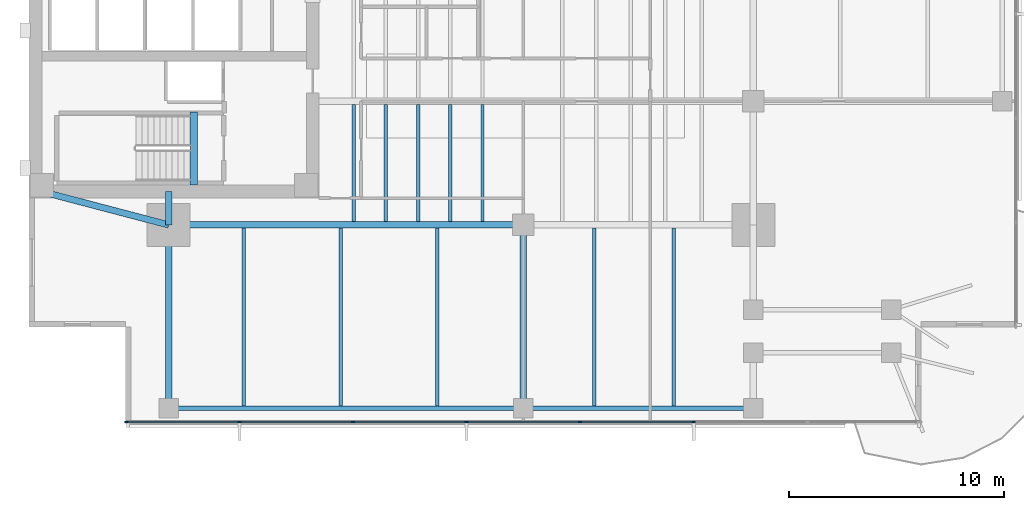
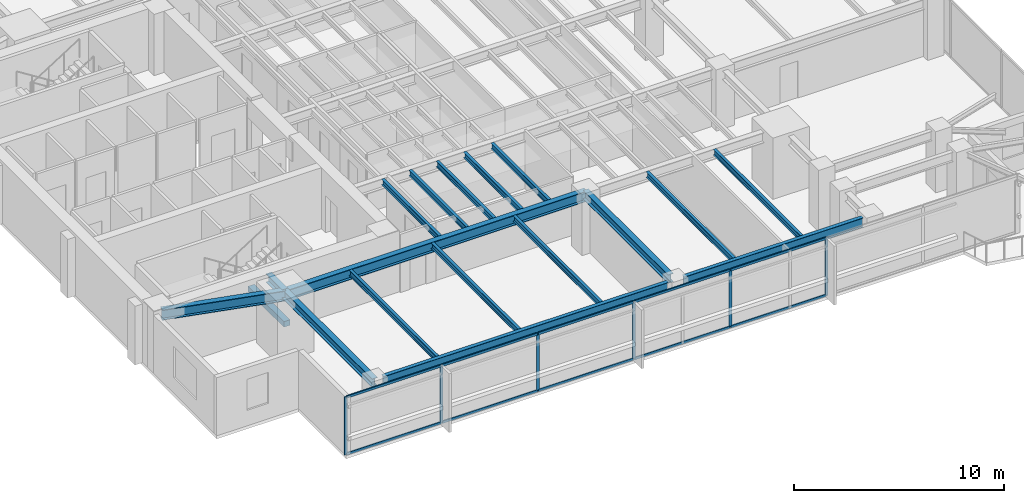
# One storey, part 2 of 14: 18 beams, 16 members, 1 element without a shape of its own.
"""IFC4 building model written with IfcOpenShell, lengths in metres."""

from ifc_helpers import new_model, si_unit, direction, frame, origin, origin_2d, place, context, subcontext, project, spatial, rectangle, i_section, extrude, material, layer, layer_set, material_profile, profile_set, type_object, element, aggregate, save


model = new_model("IFC4")

# Units and contexts
model_context = context("Model", 3, precision=1e-05, world=origin(), true_north=direction((0.0, 1.0)))
body_context = subcontext(model_context, "Body", "Model", "MODEL_VIEW")
ifc_project = project(units=[si_unit("LENGTHUNIT", "METRE"), si_unit("AREAUNIT", "SQUARE_METRE"), si_unit("VOLUMEUNIT", "CUBIC_METRE"), si_unit("PLANEANGLEUNIT", "RADIAN"), si_unit("MASSUNIT", "GRAM", prefix="KILO")], contexts=[model_context])

# Site, building, storey
site_placement = place(None, origin())
site = spatial("IfcSite", under=ifc_project, at=site_placement, CompositionType="ELEMENT")
building_placement = place(site_placement, origin())
building = spatial("IfcBuilding", under=site, at=building_placement, Name="Kinhvarn Gate Tower", CompositionType="ELEMENT")
storey_placement = place(building_placement, frame((0.0, 0.0, 137.75)))
storey = spatial("IfcBuildingStorey", under=building, at=storey_placement, Name="L36", CompositionType="ELEMENT", Elevation=137.75)

# Beam
ifc_material_1 = material(Name="Concrete C50/60", Category="concrete")
ifc_material_profile_1 = material_profile(ifc_material_1, rectangle(XDim=0.340087890625, YDim=0.320068359375, at=origin_2d()), Name="RC 340x320")
ifc_profile_set_1 = profile_set([ifc_material_profile_1], Name="Concrete C50/60")
beam_type_1 = type_object("IfcBeamType", Name="BM-LND-500", PredefinedType="BEAM", material=ifc_profile_set_1)
beam_1_placement = place(storey_placement, frame((12.1650390625, 14.60009765625, -0.159912109375), z_axis=(0.0, 1.0, 0.0), x_axis=(-1.0, 0.0, 0.0)))
element("IfcBeam", 1, at=beam_1_placement, inside=storey, type_object=beam_type_1, Name="Stair ST1 Landing Nosing Beam (L36)", PredefinedType="BEAM", context=body_context, shape_type="SweptSolid", body=[
    extrude(rectangle(XDim=0.340087890625, YDim=0.320068359375, at=origin_2d()), origin(), (0.0, 0.0, 1.0), 3.39990234375),
])

# Curtain wall, members
ifc_material_2 = material(Name="Anodised aluminium AW-6063", Category="aluminium")
ifc_layer = layer(ifc_material_2, 0.179931640625)
ifc_layer_set = layer_set([ifc_layer], Name="Anodised aluminium AW-6063")
curtain_wall_type = type_object("IfcCurtainWallType", Name="CW-SYS-3", PredefinedType="NOTDEFINED", material=ifc_layer_set)
curtain_wall_placement = place(storey_placement, origin())
curtain_wall = element("IfcCurtainWall", 2, at=curtain_wall_placement, inside=storey, type_object=curtain_wall_type, Name="Curtain Wall CW3 (L36)", PredefinedType="NOTDEFINED")
ifc_material_profile_2 = material_profile(ifc_material_2, rectangle(XDim=0.06494140625, YDim=0.159912109375, at=origin_2d()), Name="ALU 65x160")
ifc_profile_set_2 = profile_set([ifc_material_profile_2], Name="Anodised aluminium AW-6063")
member_type_1 = type_object("IfcMemberType", Name="CW-MUL-160", PredefinedType="MULLION", material=ifc_profile_set_2)
member_1_placement = place(storey_placement, frame((9.032470703125, 3.590087890625, 0.0), z_axis=(0.0, 0.0, 1.0), x_axis=(0.0, 1.0, 0.0)))
member_1 = element("IfcMember", 3, at=member_1_placement, type_object=member_type_1, Name="CW3 mullion 1", PredefinedType="MULLION", context=body_context, shape_type="SweptSolid", body=[
    extrude(rectangle(XDim=0.06494140625, YDim=0.159912109375, at=origin_2d()), origin(), (0.0, 0.0, 1.0), 3.3701171875),
])
member_2_placement = place(storey_placement, frame((14.28564453125, 3.590087890625, 0.0), z_axis=(0.0, 0.0, 1.0), x_axis=(0.0, 1.0, 0.0)))
member_2 = element("IfcMember", 4, at=member_2_placement, type_object=member_type_1, Name="CW3 mullion 2", PredefinedType="MULLION", context=body_context, shape_type="SweptSolid", body=[
    extrude(rectangle(XDim=0.06494140625, YDim=0.159912109375, at=origin_2d()), origin(), (0.0, 0.0, 1.0), 3.3701171875),
])
member_3_placement = place(storey_placement, frame((19.571533203125, 3.590087890625, 0.0), z_axis=(0.0, 0.0, 1.0), x_axis=(0.0, 1.0, 0.0)))
member_3 = element("IfcMember", 5, at=member_3_placement, type_object=member_type_1, Name="CW3 mullion 3", PredefinedType="MULLION", context=body_context, shape_type="SweptSolid", body=[
    extrude(rectangle(XDim=0.06494140625, YDim=0.159912109375, at=origin_2d()), origin(), (0.0, 0.0, 1.0), 3.3701171875),
])
member_4_placement = place(storey_placement, frame((24.857177734375, 3.590087890625, 0.0), z_axis=(0.0, 0.0, 1.0), x_axis=(0.0, 1.0, 0.0)))
member_4 = element("IfcMember", 6, at=member_4_placement, type_object=member_type_1, Name="CW3 mullion 4", PredefinedType="MULLION", context=body_context, shape_type="SweptSolid", body=[
    extrude(rectangle(XDim=0.06494140625, YDim=0.159912109375, at=origin_2d()), origin(), (0.0, 0.0, 1.0), 3.3701171875),
])
member_5_placement = place(storey_placement, frame((30.142822265625, 3.590087890625, 0.0), z_axis=(0.0, 0.0, 1.0), x_axis=(0.0, 1.0, 0.0)))
member_5 = element("IfcMember", 7, at=member_5_placement, type_object=member_type_1, Name="CW3 mullion 5", PredefinedType="MULLION", context=body_context, shape_type="SweptSolid", body=[
    extrude(rectangle(XDim=0.06494140625, YDim=0.159912109375, at=origin_2d()), origin(), (0.0, 0.0, 1.0), 3.3701171875),
])
member_6_placement = place(storey_placement, frame((35.428466796875, 3.590087890625, 0.0), z_axis=(0.0, 0.0, 1.0), x_axis=(0.0, 1.0, 0.0)))
member_6 = element("IfcMember", 8, at=member_6_placement, type_object=member_type_1, Name="CW3 mullion 6", PredefinedType="MULLION", context=body_context, shape_type="SweptSolid", body=[
    extrude(rectangle(XDim=0.06494140625, YDim=0.159912109375, at=origin_2d()), origin(), (0.0, 0.0, 1.0), 3.3701171875),
])
ifc_material_profile_3 = material_profile(ifc_material_2, rectangle(XDim=0.070068359375, YDim=0.139892578125, at=origin_2d()), Name="ALU 70x140")
ifc_profile_set_3 = profile_set([ifc_material_profile_3], Name="Anodised aluminium AW-6063")
member_type_2 = type_object("IfcMemberType", Name="CW-TRN-140", PredefinedType="USERDEFINED", material=ifc_profile_set_3)
member_7_placement = place(storey_placement, frame((9.06494140625, 3.590087890625, 0.034912109375), z_axis=(1.0, 0.0, 0.0), x_axis=(0.0, 1.0, 0.0)))
member_7 = element("IfcMember", 9, at=member_7_placement, type_object=member_type_2, Name="CW3 transom 1.1", ObjectType="TRANSOM", PredefinedType="USERDEFINED", context=body_context, shape_type="SweptSolid", body=[
    extrude(rectangle(XDim=0.070068359375, YDim=0.139892578125, at=origin_2d()), origin(), (0.0, 0.0, 1.0), 5.188232421875),
])
member_8_placement = place(storey_placement, frame((9.06494140625, 3.590087890625, 3.3349609375), z_axis=(1.0, 0.0, 0.0), x_axis=(0.0, 1.0, 0.0)))
member_8 = element("IfcMember", 10, at=member_8_placement, type_object=member_type_2, Name="CW3 transom 1.2", ObjectType="TRANSOM", PredefinedType="USERDEFINED", context=body_context, shape_type="SweptSolid", body=[
    extrude(rectangle(XDim=0.070068359375, YDim=0.139892578125, at=origin_2d()), origin(), (0.0, 0.0, 1.0), 5.188232421875),
])
member_9_placement = place(storey_placement, frame((14.318115234375, 3.590087890625, 0.034912109375), z_axis=(1.0, 0.0, 0.0), x_axis=(0.0, 1.0, 0.0)))
member_9 = element("IfcMember", 11, at=member_9_placement, type_object=member_type_2, Name="CW3 transom 2.1", ObjectType="TRANSOM", PredefinedType="USERDEFINED", context=body_context, shape_type="SweptSolid", body=[
    extrude(rectangle(XDim=0.070068359375, YDim=0.139892578125, at=origin_2d()), origin(), (0.0, 0.0, 1.0), 5.220703125),
])
member_10_placement = place(storey_placement, frame((14.318115234375, 3.590087890625, 3.3349609375), z_axis=(1.0, 0.0, 0.0), x_axis=(0.0, 1.0, 0.0)))
member_10 = element("IfcMember", 12, at=member_10_placement, type_object=member_type_2, Name="CW3 transom 2.2", ObjectType="TRANSOM", PredefinedType="USERDEFINED", context=body_context, shape_type="SweptSolid", body=[
    extrude(rectangle(XDim=0.070068359375, YDim=0.139892578125, at=origin_2d()), origin(), (0.0, 0.0, 1.0), 5.220703125),
])
member_11_placement = place(storey_placement, frame((19.60400390625, 3.590087890625, 0.034912109375), z_axis=(1.0, 0.0, 0.0), x_axis=(0.0, 1.0, 0.0)))
member_11 = element("IfcMember", 13, at=member_11_placement, type_object=member_type_2, Name="CW3 transom 3.1", ObjectType="TRANSOM", PredefinedType="USERDEFINED", context=body_context, shape_type="SweptSolid", body=[
    extrude(rectangle(XDim=0.070068359375, YDim=0.139892578125, at=origin_2d()), origin(), (0.0, 0.0, 1.0), 5.220703125),
])
member_12_placement = place(storey_placement, frame((19.60400390625, 3.590087890625, 3.3349609375), z_axis=(1.0, 0.0, 0.0), x_axis=(0.0, 1.0, 0.0)))
member_12 = element("IfcMember", 14, at=member_12_placement, type_object=member_type_2, Name="CW3 transom 3.2", ObjectType="TRANSOM", PredefinedType="USERDEFINED", context=body_context, shape_type="SweptSolid", body=[
    extrude(rectangle(XDim=0.070068359375, YDim=0.139892578125, at=origin_2d()), origin(), (0.0, 0.0, 1.0), 5.220703125),
])
member_13_placement = place(storey_placement, frame((24.8896484375, 3.590087890625, 0.034912109375), z_axis=(1.0, 0.0, 0.0), x_axis=(0.0, 1.0, 0.0)))
member_13 = element("IfcMember", 15, at=member_13_placement, type_object=member_type_2, Name="CW3 transom 4.1", ObjectType="TRANSOM", PredefinedType="USERDEFINED", context=body_context, shape_type="SweptSolid", body=[
    extrude(rectangle(XDim=0.070068359375, YDim=0.139892578125, at=origin_2d()), origin(), (0.0, 0.0, 1.0), 5.220703125),
])
member_14_placement = place(storey_placement, frame((24.8896484375, 3.590087890625, 3.3349609375), z_axis=(1.0, 0.0, 0.0), x_axis=(0.0, 1.0, 0.0)))
member_14 = element("IfcMember", 16, at=member_14_placement, type_object=member_type_2, Name="CW3 transom 4.2", ObjectType="TRANSOM", PredefinedType="USERDEFINED", context=body_context, shape_type="SweptSolid", body=[
    extrude(rectangle(XDim=0.070068359375, YDim=0.139892578125, at=origin_2d()), origin(), (0.0, 0.0, 1.0), 5.220703125),
])
member_15_placement = place(storey_placement, frame((30.17529296875, 3.590087890625, 0.034912109375), z_axis=(1.0, 0.0, 0.0), x_axis=(0.0, 1.0, 0.0)))
member_15 = element("IfcMember", 17, at=member_15_placement, type_object=member_type_2, Name="CW3 transom 5.1", ObjectType="TRANSOM", PredefinedType="USERDEFINED", context=body_context, shape_type="SweptSolid", body=[
    extrude(rectangle(XDim=0.070068359375, YDim=0.139892578125, at=origin_2d()), origin(), (0.0, 0.0, 1.0), 5.220703125),
])
member_16_placement = place(storey_placement, frame((30.17529296875, 3.590087890625, 3.3349609375), z_axis=(1.0, 0.0, 0.0), x_axis=(0.0, 1.0, 0.0)))
member_16 = element("IfcMember", 18, at=member_16_placement, type_object=member_type_2, Name="CW3 transom 5.2", ObjectType="TRANSOM", PredefinedType="USERDEFINED", context=body_context, shape_type="SweptSolid", body=[
    extrude(rectangle(XDim=0.070068359375, YDim=0.139892578125, at=origin_2d()), origin(), (0.0, 0.0, 1.0), 5.220703125),
])
aggregate(curtain_wall, [member_1, member_2, member_3, member_4, member_5, member_6, member_7, member_8, member_9, member_10, member_11, member_12, member_13, member_14, member_15, member_16])

# Beams
ifc_material_3 = material(Name="Steel S355", Category="steel")
ifc_material_profile_4 = material_profile(ifc_material_3, i_section(OverallWidth=0.300048828125, OverallDepth=0.5, WebThickness=0.014404296875, FlangeThickness=0.028076171875, at=origin_2d()), Name="HEB 500")
ifc_profile_set_4 = profile_set([ifc_material_profile_4], Name="Steel S355")
beam_type_2 = type_object("IfcBeamType", Name="STL-HEB500", PredefinedType="BEAM", material=ifc_profile_set_4)
beam_2_placement = place(storey_placement, frame((11.0, 4.219970703125, 3.1201171875), z_axis=(0.0, 1.0, 0.0), x_axis=(-1.0, 0.0, 0.0)))
element("IfcBeam", 19, at=beam_2_placement, inside=storey, type_object=beam_type_2, Name="Floor Beam PG-14 (L36 MCW-S)", PredefinedType="BEAM", context=body_context, shape_type="SweptSolid", body=[
    extrude(i_section(OverallWidth=0.300048828125, OverallDepth=0.5, WebThickness=0.014404296875, FlangeThickness=0.028076171875, at=origin_2d()), origin(), (0.0, 0.0, 1.0), 8.530029296875),
])
beam_3_placement = place(storey_placement, frame((11.0, 12.75, 3.1201171875), z_axis=(0.0, 1.0, 0.0), x_axis=(-1.0, 0.0, 0.0)))
element("IfcBeam", 20, at=beam_3_placement, inside=storey, type_object=beam_type_2, Name="Floor Beam PG-14 (L36 MCW-CS)", PredefinedType="BEAM", context=body_context, shape_type="SweptSolid", body=[
    extrude(i_section(OverallWidth=0.300048828125, OverallDepth=0.5, WebThickness=0.014404296875, FlangeThickness=0.028076171875, at=origin_2d()), origin(), (0.0, 0.0, 1.0), 1.550048828125),
])
beam_4_placement = place(storey_placement, frame((27.5, 4.655029296875, 3.1201171875), z_axis=(0.0, 1.0, 0.0), x_axis=(-1.0, 0.0, 0.0)))
element("IfcBeam", 21, at=beam_4_placement, inside=storey, type_object=beam_type_2, Name="Floor Beam PG-14 (L36 SP27-S-TIE)", PredefinedType="BEAM", context=body_context, shape_type="SweptSolid", body=[
    extrude(i_section(OverallWidth=0.300048828125, OverallDepth=0.5, WebThickness=0.014404296875, FlangeThickness=0.028076171875, at=origin_2d()), origin(), (0.0, 0.0, 1.0), 8.094970703125),
])
ifc_material_profile_5 = material_profile(ifc_material_3, i_section(OverallWidth=0.300048828125, OverallDepth=0.60009765625, WebThickness=0.015380859375, FlangeThickness=0.030029296875, at=origin_2d()), Name="HEB 600")
ifc_profile_set_5 = profile_set([ifc_material_profile_5], Name="Steel S355")
beam_type_3 = type_object("IfcBeamType", Name="STL-HEB600", PredefinedType="BEAM", material=ifc_profile_set_5)
beam_5_placement = place(storey_placement, frame((11.0, 12.75, 3.070068359375), z_axis=(1.0, 0.0, 0.0), x_axis=(0.0, 1.0, 0.0)))
element("IfcBeam", 22, at=beam_5_placement, inside=storey, type_object=beam_type_3, Name="Floor Beam PG-16 (L36 MG-S1)", PredefinedType="BEAM", context=body_context, shape_type="SweptSolid", body=[
    extrude(i_section(OverallWidth=0.300048828125, OverallDepth=0.60009765625, WebThickness=0.015380859375, FlangeThickness=0.030029296875, at=origin_2d()), origin(), (0.0, 0.0, 1.0), 16.5),
])
beam_6_placement = place(storey_placement, frame((5.10009765625, 14.300048828125, 3.070068359375), z_axis=(0.967177623957, -0.254101246979, 0.0), x_axis=(0.254101246979, 0.967177623957, 0.0)))
element("IfcBeam", 23, at=beam_6_placement, inside=storey, type_object=beam_type_3, Name="Floor Beam PG-16 (L36 MG-SW-DIAG)", PredefinedType="BEAM", context=body_context, shape_type="SweptSolid", body=[
    extrude(i_section(OverallWidth=0.300048828125, OverallDepth=0.60009765625, WebThickness=0.015380859375, FlangeThickness=0.030029296875, at=origin_2d()), origin(), (0.0, 0.0, 1.0), 6.10009765625),
])
ifc_material_profile_6 = material_profile(ifc_material_3, i_section(OverallWidth=0.159912109375, OverallDepth=0.330078125, WebThickness=0.007568359375, FlangeThickness=0.011474609375, at=origin_2d()), Name="IPE 330")
ifc_profile_set_6 = profile_set([ifc_material_profile_6], Name="Steel S355")
beam_type_4 = type_object("IfcBeamType", Name="STL-IPE330", PredefinedType="JOIST", material=ifc_profile_set_6)
for number, where, z_axis, x_axis, name in (
    (24, (19.60009765625, 12.89990234375, 3.205078125), (0.0, 1.0, 0.0), (-1.0, 0.0, 0.0), "Floor Joist SB-03 (L36 JC-X196-0)"),
    (25, (21.10009765625, 12.89990234375, 3.205078125), (0.0, 1.0, 0.0), (-1.0, 0.0, 0.0), "Floor Joist SB-03 (L36 JC-X211-0)"),
    (26, (22.60009765625, 12.89990234375, 3.205078125), (0.0, 1.0, 0.0), (-1.0, 0.0, 0.0), "Floor Joist SB-03 (L36 JC-X226-0)"),
    (27, (24.10009765625, 12.89990234375, 3.205078125), (0.0, 1.0, 0.0), (-1.0, 0.0, 0.0), "Floor Joist SB-03 (L36 JC-X241-0)"),
    (28, (25.60009765625, 12.89990234375, 3.205078125), (0.0, 1.0, 0.0), (-1.0, 0.0, 0.0), "Floor Joist SB-03 (L36 JC-X256-0)"),
):
    element("IfcBeam", number, at=place(storey_placement, frame(where, z_axis=z_axis, x_axis=x_axis)), inside=storey, type_object=beam_type_4, Name=name, PredefinedType="JOIST", context=body_context, shape_type="SweptSolid", body=[
        extrude(i_section(OverallWidth=0.159912109375, OverallDepth=0.330078125, WebThickness=0.007568359375, FlangeThickness=0.011474609375, at=origin_2d()), origin(), (0.0, 0.0, 1.0), 5.4501953125),
    ])
for number, where, z_axis, x_axis, name in (
    (29, (14.5, 4.324951171875, 3.205078125), (0.0, 1.0, 0.0), (-1.0, 0.0, 0.0), "Floor Joist SB-03 (L36 JS-X145)"),
    (30, (19.0, 4.324951171875, 3.205078125), (0.0, 1.0, 0.0), (-1.0, 0.0, 0.0), "Floor Joist SB-03 (L36 JS-X190)"),
    (31, (23.5, 4.324951171875, 3.205078125), (0.0, 1.0, 0.0), (-1.0, 0.0, 0.0), "Floor Joist SB-03 (L36 JS-X235)"),
    (32, (30.800048828125, 4.324951171875, 3.205078125), (0.0, 1.0, 0.0), (-1.0, 0.0, 0.0), "Floor Joist SB-03 (L36 JS-X308)"),
    (33, (34.5, 4.324951171875, 3.205078125), (0.0, 1.0, 0.0), (-1.0, 0.0, 0.0), "Floor Joist SB-03 (L36 JS-X345)"),
):
    element("IfcBeam", number, at=place(storey_placement, frame(where, z_axis=z_axis, x_axis=x_axis)), inside=storey, type_object=beam_type_4, Name=name, PredefinedType="JOIST", context=body_context, shape_type="SweptSolid", body=[
        extrude(i_section(OverallWidth=0.159912109375, OverallDepth=0.330078125, WebThickness=0.007568359375, FlangeThickness=0.011474609375, at=origin_2d()), origin(), (0.0, 0.0, 1.0), 8.275146484375),
    ])
ifc_material_profile_7 = material_profile(ifc_material_3, i_section(OverallWidth=0.2099609375, OverallDepth=0.550048828125, WebThickness=0.010986328125, FlangeThickness=0.01708984375, at=origin_2d()), Name="IPE 550")
ifc_profile_set_7 = profile_set([ifc_material_profile_7], Name="Steel S355")
beam_type_5 = type_object("IfcBeamType", Name="STL-IPE550", PredefinedType="SPANDREL", material=ifc_profile_set_7)
beam_7_placement = place(storey_placement, frame((11.43505859375, 4.219970703125, 3.094970703125), z_axis=(1.0, 0.0, 0.0), x_axis=(0.0, 1.0, 0.0)))
element("IfcBeam", 34, at=beam_7_placement, inside=storey, type_object=beam_type_5, Name="Floor Spandrel SB-08 (L36 SP-S1)", PredefinedType="SPANDREL", context=body_context, shape_type="SweptSolid", body=[
    extrude(i_section(OverallWidth=0.2099609375, OverallDepth=0.550048828125, WebThickness=0.010986328125, FlangeThickness=0.01708984375, at=origin_2d()), origin(), (0.0, 0.0, 1.0), 15.6298828125),
])
beam_8_placement = place(storey_placement, frame((27.93505859375, 4.219970703125, 3.094970703125), z_axis=(1.0, 0.0, 0.0), x_axis=(0.0, 1.0, 0.0)))
element("IfcBeam", 35, at=beam_8_placement, inside=storey, type_object=beam_type_5, Name="Floor Spandrel SB-08 (L36 SP-S2)", PredefinedType="SPANDREL", context=body_context, shape_type="SweptSolid", body=[
    extrude(i_section(OverallWidth=0.2099609375, OverallDepth=0.550048828125, WebThickness=0.010986328125, FlangeThickness=0.01708984375, at=origin_2d()), origin(), (0.0, 0.0, 1.0), 9.829833984375),
])

save(model, "model.ifc")
